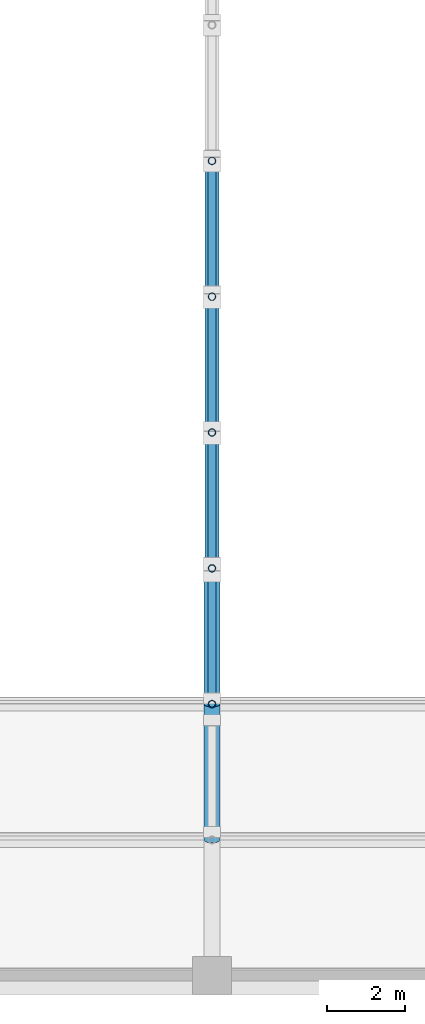
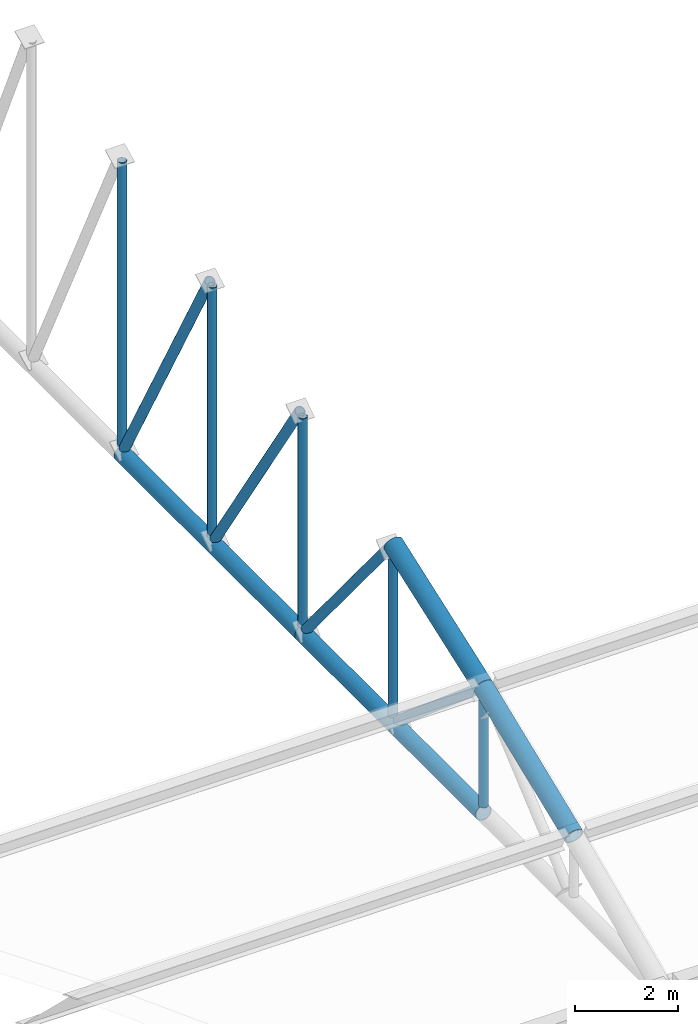
# One storey, part 37 of 196: 13 members.
"""IFC4 building model written with IfcOpenShell, lengths in metres."""

from ifc_helpers import new_model, si_unit, direction, frame, origin, origin_2d, place, context, subcontext, project, spatial, hollow_circle, extrude, material, material_profile, profile_set, type_object, element, save


model = new_model("IFC4")

# Units and contexts
model_context = context("Model", 3, precision=1e-05, world=origin(), true_north=direction((0.0, 1.0)))
body_context = subcontext(model_context, "Body", "Model", "MODEL_VIEW")
ifc_project = project(units=[si_unit("LENGTHUNIT", "METRE"), si_unit("AREAUNIT", "SQUARE_METRE"), si_unit("VOLUMEUNIT", "CUBIC_METRE"), si_unit("PLANEANGLEUNIT", "RADIAN"), si_unit("MASSUNIT", "GRAM", prefix="KILO")], contexts=[model_context])

# Site, building, storey
site_placement = place(None, origin())
site = spatial("IfcSite", under=ifc_project, at=site_placement, CompositionType="ELEMENT")
building_placement = place(site_placement, origin())
building = spatial("IfcBuilding", under=site, at=building_placement, Name="Okhra Congress Centre", CompositionType="ELEMENT")
storey_placement = place(building_placement, frame((0.0, 0.0, 12.0)))
storey = spatial("IfcBuildingStorey", under=building, at=storey_placement, Name="L02", CompositionType="ELEMENT", Elevation=12.0)

# Members
ifc_material = material(Name="Steel S355J2H", Category="steel")
ifc_material_profile_1 = material_profile(ifc_material, hollow_circle(Radius=0.096923828125, WallThickness=0.012451171875, at=origin_2d()), Name="CHS 193.7x12.5")
ifc_profile_set_1 = profile_set([ifc_material_profile_1], Name="Steel S355J2H")
member_type_1 = type_object("IfcMemberType", Name="CHS 193.7x12.5", PredefinedType="POST", material=ifc_profile_set_1)
member_1_placement = place(storey_placement, frame((100.0, 139.0, 1.577880859375), z_axis=(0.0, 0.0, 1.0), x_axis=(1.0, 0.0, 0.0)))
element("IfcMember", 1, at=member_1_placement, inside=storey, type_object=member_type_1, Name="EH.MEM.L02.T5-VER-02", PredefinedType="POST", context=body_context, shape_type="SweptSolid", body=[
    extrude(hollow_circle(Radius=0.096923828125, WallThickness=0.012451171875, at=origin_2d()), origin(), (0.0, 0.0, 1.0), 2.578857421875),
])
member_2_placement = place(storey_placement, frame((100.0, 142.5, 1.577880859375), z_axis=(0.0, 0.0, 1.0), x_axis=(1.0, 0.0, 0.0)))
element("IfcMember", 2, at=member_2_placement, inside=storey, type_object=member_type_1, Name="EH.MEM.L02.T5-VER-03", PredefinedType="POST", context=body_context, shape_type="SweptSolid", body=[
    extrude(hollow_circle(Radius=0.096923828125, WallThickness=0.012451171875, at=origin_2d()), origin(), (0.0, 0.0, 1.0), 3.836669921875),
])
member_3_placement = place(storey_placement, frame((100.0, 146.0, 1.577880859375), z_axis=(0.0, 0.0, 1.0), x_axis=(1.0, 0.0, 0.0)))
element("IfcMember", 3, at=member_3_placement, inside=storey, type_object=member_type_1, Name="EH.MEM.L02.T5-VER-04", PredefinedType="POST", context=body_context, shape_type="SweptSolid", body=[
    extrude(hollow_circle(Radius=0.096923828125, WallThickness=0.012451171875, at=origin_2d()), origin(), (0.0, 0.0, 1.0), 4.947998046875),
])
ifc_material_profile_2 = material_profile(ifc_material, hollow_circle(Radius=0.096923828125, WallThickness=0.008056640625, at=origin_2d()), Name="CHS 193.7x8.0")
ifc_profile_set_2 = profile_set([ifc_material_profile_2], Name="Steel S355J2H")
member_type_2 = type_object("IfcMemberType", Name="CHS 193.7x8.0", PredefinedType="POST", material=ifc_profile_set_2)
member_4_placement = place(storey_placement, frame((100.0, 149.5, 1.577880859375), z_axis=(0.0, 0.0, 1.0), x_axis=(1.0, 0.0, 0.0)))
element("IfcMember", 4, at=member_4_placement, inside=storey, type_object=member_type_2, Name="EH.MEM.L02.T5-VER-05", PredefinedType="POST", context=body_context, shape_type="SweptSolid", body=[
    extrude(hollow_circle(Radius=0.096923828125, WallThickness=0.008056640625, at=origin_2d()), origin(), (0.0, 0.0, 1.0), 5.917724609375),
])
member_5_placement = place(storey_placement, frame((100.0, 153.0, 1.577880859375), z_axis=(0.0, 0.0, 1.0), x_axis=(1.0, 0.0, 0.0)))
element("IfcMember", 5, at=member_5_placement, inside=storey, type_object=member_type_2, Name="EH.MEM.L02.T5-VER-06", PredefinedType="POST", context=body_context, shape_type="SweptSolid", body=[
    extrude(hollow_circle(Radius=0.096923828125, WallThickness=0.008056640625, at=origin_2d()), origin(), (0.0, 0.0, 1.0), 6.750244140625),
])
ifc_material_profile_3 = material_profile(ifc_material, hollow_circle(Radius=0.109619140625, WallThickness=0.010009765625, at=origin_2d()), Name="CHS 219.1x10.0")
ifc_profile_set_3 = profile_set([ifc_material_profile_3], Name="Steel S355J2H")
member_type_3 = type_object("IfcMemberType", Name="CHS 219.1x10.0", PredefinedType="BRACE", material=ifc_profile_set_3)
member_6_placement = place(storey_placement, frame((100.0, 149.5927734375, 7.538330078125), z_axis=(0.0, 0.485332749729, -0.874329527147), x_axis=(-1.0, 0.0, 0.0)))
element("IfcMember", 6, at=member_6_placement, inside=storey, type_object=member_type_3, Name="EH.MEM.L02.T5-DIA-05", PredefinedType="BRACE", context=body_context, shape_type="SweptSolid", body=[
    extrude(hollow_circle(Radius=0.109619140625, WallThickness=0.010009765625, at=origin_2d()), origin(), (0.0, 0.0, 1.0), 6.817138671875),
])
ifc_material_profile_4 = material_profile(ifc_material, hollow_circle(Radius=0.109619140625, WallThickness=0.012451171875, at=origin_2d()), Name="CHS 219.1x12.5")
ifc_profile_set_4 = profile_set([ifc_material_profile_4], Name="Steel S355J2H")
member_type_4 = type_object("IfcMemberType", Name="CHS 219.1x12.5", PredefinedType="BRACE", material=ifc_profile_set_4)
member_7_placement = place(storey_placement, frame((100.0, 139.1611328125, 4.237060546875), z_axis=(0.0, 0.762061047132, -0.64750518179), x_axis=(-1.0, 0.0, 0.0)))
element("IfcMember", 7, at=member_7_placement, inside=storey, type_object=member_type_4, Name="EH.MEM.L02.T5-DIA-02", PredefinedType="BRACE", context=body_context, shape_type="SweptSolid", body=[
    extrude(hollow_circle(Radius=0.109619140625, WallThickness=0.012451171875, at=origin_2d()), origin(), (0.0, 0.0, 1.0), 4.106689453125),
])
member_8_placement = place(storey_placement, frame((100.0, 142.626220703125, 5.476318359375), z_axis=(0.0, 0.637599309049, -0.770368172435), x_axis=(-1.0, 0.0, 0.0)))
element("IfcMember", 8, at=member_8_placement, inside=storey, type_object=member_type_4, Name="EH.MEM.L02.T5-DIA-03", PredefinedType="BRACE", context=body_context, shape_type="SweptSolid", body=[
    extrude(hollow_circle(Radius=0.109619140625, WallThickness=0.012451171875, at=origin_2d()), origin(), (0.0, 0.0, 1.0), 5.060546875),
])
member_9_placement = place(storey_placement, frame((100.0, 146.10595703125, 6.576416015625), z_axis=(0.0, 0.548312008951, -0.836273843211), x_axis=(-1.0, 0.0, 0.0)))
element("IfcMember", 9, at=member_9_placement, inside=storey, type_object=member_type_4, Name="EH.MEM.L02.T5-DIA-04", PredefinedType="BRACE", context=body_context, shape_type="SweptSolid", body=[
    extrude(hollow_circle(Radius=0.109619140625, WallThickness=0.012451171875, at=origin_2d()), origin(), (0.0, 0.0, 1.0), 5.97705078125),
])
ifc_material_profile_5 = material_profile(ifc_material, hollow_circle(Radius=0.177734375, WallThickness=0.01611328125, at=origin_2d()), Name="CHS 355.6x16.0")
ifc_profile_set_5 = profile_set([ifc_material_profile_5], Name="Steel S355J2H")
member_type_5 = type_object("IfcMemberType", Name="CHS 355.6x16.0", PredefinedType="CHORD", material=ifc_profile_set_5)
for number, where, z_axis, x_axis, name in (
    (10, (100.0, 139.0, 1.39990234375), (0.0, 1.0, 0.0), (-1.0, 0.0, 0.0), "EH.MEM.L02.T5-BOT-02"),
    (11, (100.0, 146.0, 1.39990234375), (0.0, 1.0, 0.0), (-1.0, 0.0, 0.0), "EH.MEM.L02.T5-BOT-03"),
):
    element("IfcMember", number, at=place(storey_placement, frame(where, z_axis=z_axis, x_axis=x_axis)), inside=storey, type_object=member_type_5, Name=name, PredefinedType="CHORD", context=body_context, shape_type="SweptSolid", body=[
        extrude(hollow_circle(Radius=0.177734375, WallThickness=0.01611328125, at=origin_2d()), origin(), (0.0, 0.0, 1.0), 7.0),
    ])
ifc_material_profile_6 = material_profile(ifc_material, hollow_circle(Radius=0.203125, WallThickness=0.02490234375, at=origin_2d()), Name="CHS 406.4x25.0")
ifc_profile_set_6 = profile_set([ifc_material_profile_6], Name="Steel S355J2H")
member_type_6 = type_object("IfcMemberType", Name="CHS 406.4x25.0", PredefinedType="CHORD", material=ifc_profile_set_6)
member_10_placement = place(storey_placement, frame((100.0, 135.5, 2.966796875), z_axis=(0.0, 0.927814639871, 0.373041544658), x_axis=(-1.0, 0.0, 0.0)))
element("IfcMember", 12, at=member_10_placement, inside=storey, type_object=member_type_6, Name="EH.MEM.L02.T5-TOP-02", PredefinedType="CHORD", context=body_context, shape_type="SweptSolid", body=[
    extrude(hollow_circle(Radius=0.203125, WallThickness=0.02490234375, at=origin_2d()), origin(), (0.0, 0.0, 1.0), 3.772216796875),
])
member_11_placement = place(storey_placement, frame((100.0, 139.0, 4.3740234375), z_axis=(0.0, 0.941304373418, 0.337558997192), x_axis=(-1.0, 0.0, 0.0)))
element("IfcMember", 13, at=member_11_placement, inside=storey, type_object=member_type_6, Name="EH.MEM.L02.T5-TOP-03", PredefinedType="CHORD", context=body_context, shape_type="SweptSolid", body=[
    extrude(hollow_circle(Radius=0.203125, WallThickness=0.02490234375, at=origin_2d()), origin(), (0.0, 0.0, 1.0), 3.71826171875),
])

save(model, "model.ifc")
